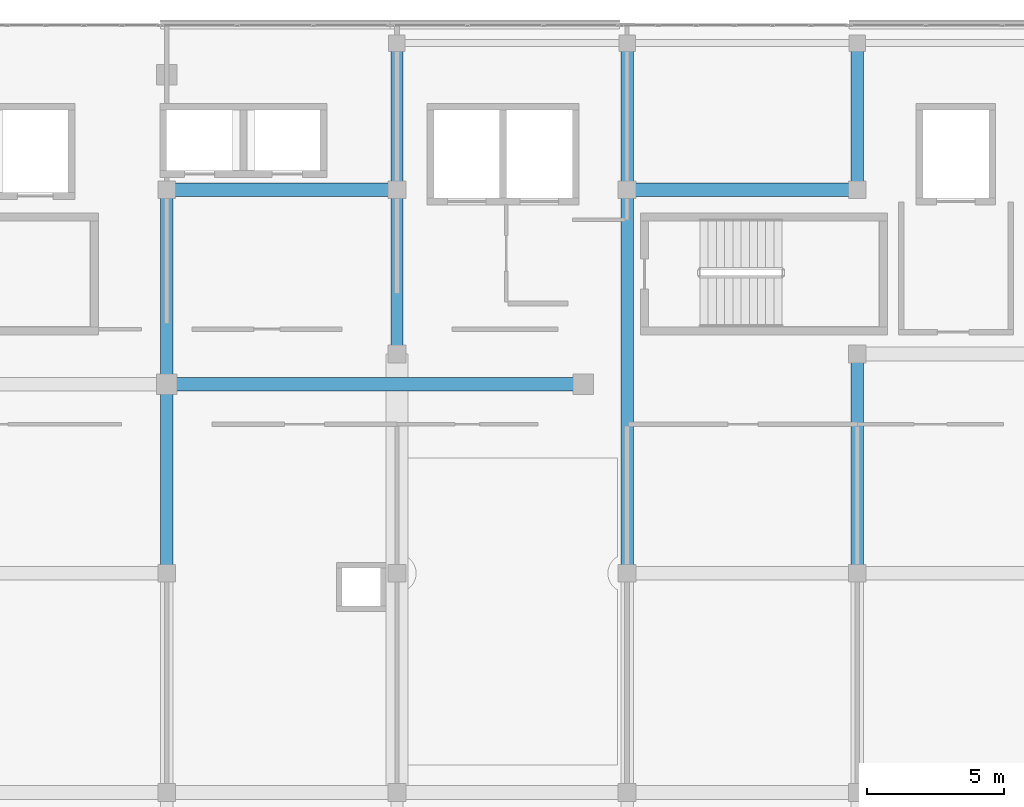
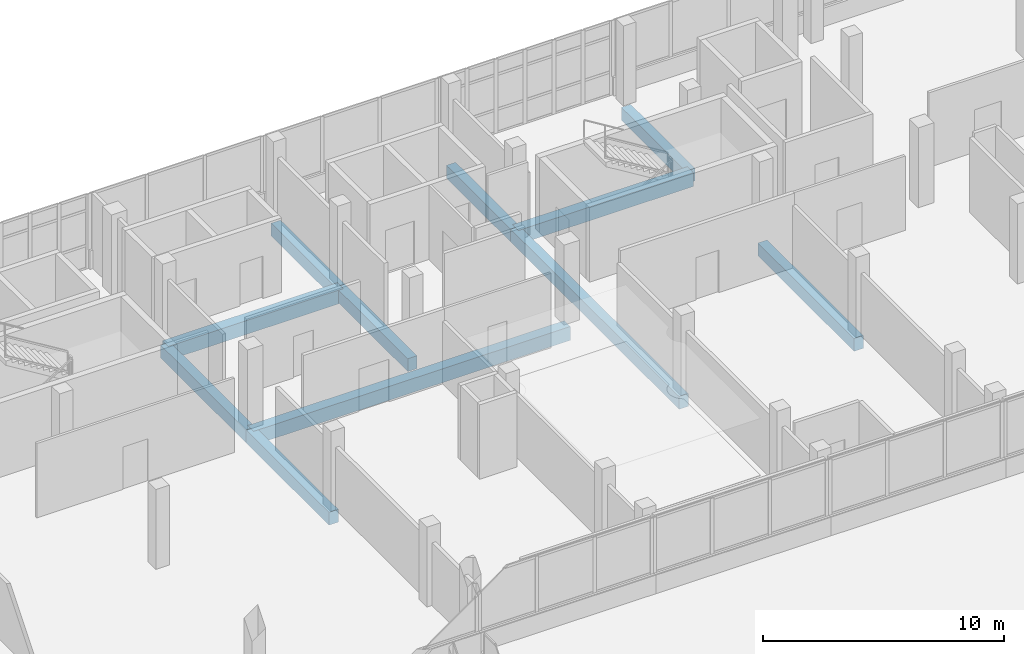
# One storey, part 34 of 78: 11 beams.
"""IFC4 building model written with IfcOpenShell, lengths in metres."""

from ifc_helpers import new_model, si_unit, direction, frame, origin, origin_2d, place, context, subcontext, project, spatial, rectangle, extrude, material, material_profile, profile_set, type_object, element, save


model = new_model("IFC4")

# Units and contexts
model_context = context("Model", 3, precision=1e-05, world=origin(), true_north=direction((0.0, 1.0)))
body_context = subcontext(model_context, "Body", "Model", "MODEL_VIEW")
ifc_project = project(units=[si_unit("LENGTHUNIT", "METRE"), si_unit("AREAUNIT", "SQUARE_METRE"), si_unit("VOLUMEUNIT", "CUBIC_METRE"), si_unit("PLANEANGLEUNIT", "RADIAN"), si_unit("MASSUNIT", "GRAM", prefix="KILO")], contexts=[model_context])

# Site, building, storey
site_placement = place(None, origin())
site = spatial("IfcSite", under=ifc_project, at=site_placement, CompositionType="ELEMENT")
building_placement = place(site_placement, origin())
building = spatial("IfcBuilding", under=site, at=building_placement, Name="Selatvlak General Hospital", CompositionType="ELEMENT")
storey_placement = place(building_placement, frame((0.0, 0.0, 23.25)))
storey = spatial("IfcBuildingStorey", under=building, at=storey_placement, Name="L05", CompositionType="ELEMENT", Elevation=23.25)

# Beams
ifc_material = material(Name="Concrete C40/50", Category="concrete")
ifc_material_profile_1 = material_profile(ifc_material, rectangle(XDim=0.5, YDim=0.699951171875, at=origin_2d()), Name="RC-BM 500x700")
ifc_profile_set_1 = profile_set([ifc_material_profile_1], Name="Concrete C40/50")
beam_type_1 = type_object("IfcBeamType", Name="BM-G03", PredefinedType="BEAM", material=ifc_profile_set_1)
beam_1_placement = place(storey_placement, frame((115.199951171875, 106.89990234375, -0.6298828125), z_axis=(1.0, 0.0, 0.0), x_axis=(0.0, 1.0, 0.0)))
element("IfcBeam", 1, at=beam_1_placement, inside=storey, type_object=beam_type_1, Name="Beam BMR-L05-1945", PredefinedType="BEAM", context=body_context, shape_type="SweptSolid", body=[
    extrude(rectangle(XDim=0.5, YDim=0.699951171875, at=origin_2d()), origin(), (0.0, 0.0, 1.0), 15.199951171875),
])
beam_2_placement = place(storey_placement, frame((115.199951171875, 114.0, -0.6298828125), z_axis=(1.0, 0.0, 0.0), x_axis=(0.0, 1.0, 0.0)))
element("IfcBeam", 2, at=beam_2_placement, inside=storey, type_object=beam_type_1, Name="Beam BMR-L05-1967", PredefinedType="BEAM", context=body_context, shape_type="SweptSolid", body=[
    extrude(rectangle(XDim=0.5, YDim=0.699951171875, at=origin_2d()), origin(), (0.0, 0.0, 1.0), 8.400146484375),
])
beam_3_placement = place(storey_placement, frame((132.0, 114.0, -0.6298828125), z_axis=(1.0, 0.0, 0.0), x_axis=(0.0, 1.0, 0.0)))
element("IfcBeam", 3, at=beam_3_placement, inside=storey, type_object=beam_type_1, Name="Beam BMR-L05-1968", PredefinedType="BEAM", context=body_context, shape_type="SweptSolid", body=[
    extrude(rectangle(XDim=0.5, YDim=0.699951171875, at=origin_2d()), origin(), (0.0, 0.0, 1.0), 8.39990234375),
])
ifc_material_profile_2 = material_profile(ifc_material, rectangle(XDim=0.449951171875, YDim=0.64990234375, at=origin_2d()), Name="RC-BM 450x650")
ifc_profile_set_2 = profile_set([ifc_material_profile_2], Name="Concrete C40/50")
beam_type_2 = type_object("IfcBeamType", Name="BM-G04", PredefinedType="BEAM", material=ifc_profile_set_2)
beam_4_placement = place(storey_placement, frame((115.199951171875, 100.0, -0.60498046875), z_axis=(0.0, 1.0, 0.0), x_axis=(-1.0, 0.0, 0.0)))
element("IfcBeam", 4, at=beam_4_placement, inside=storey, type_object=beam_type_2, Name="Beam BMR-L05-2045", PredefinedType="BEAM", context=body_context, shape_type="SweptSolid", body=[
    extrude(rectangle(XDim=0.449951171875, YDim=0.64990234375, at=origin_2d()), origin(), (0.0, 0.0, 1.0), 6.89990234375),
])
beam_5_placement = place(storey_placement, frame((115.199951171875, 106.89990234375, -0.60498046875), z_axis=(0.0, 1.0, 0.0), x_axis=(-1.0, 0.0, 0.0)))
element("IfcBeam", 5, at=beam_5_placement, inside=storey, type_object=beam_type_2, Name="Beam BMR-L05-2046", PredefinedType="BEAM", context=body_context, shape_type="SweptSolid", body=[
    extrude(rectangle(XDim=0.449951171875, YDim=0.64990234375, at=origin_2d()), origin(), (0.0, 0.0, 1.0), 7.10009765625),
])
beam_6_placement = place(storey_placement, frame((123.60009765625, 108.0, -0.60498046875), z_axis=(0.0, 1.0, 0.0), x_axis=(-1.0, 0.0, 0.0)))
element("IfcBeam", 6, at=beam_6_placement, inside=storey, type_object=beam_type_2, Name="Beam BMR-L05-2052", PredefinedType="BEAM", context=body_context, shape_type="SweptSolid", body=[
    extrude(rectangle(XDim=0.449951171875, YDim=0.64990234375, at=origin_2d()), origin(), (0.0, 0.0, 1.0), 6.0),
])
beam_7_placement = place(storey_placement, frame((123.60009765625, 114.0, -0.60498046875), z_axis=(0.0, 1.0, 0.0), x_axis=(-1.0, 0.0, 0.0)))
element("IfcBeam", 7, at=beam_7_placement, inside=storey, type_object=beam_type_2, Name="Beam BMR-L05-2053", PredefinedType="BEAM", context=body_context, shape_type="SweptSolid", body=[
    extrude(rectangle(XDim=0.449951171875, YDim=0.64990234375, at=origin_2d()), origin(), (0.0, 0.0, 1.0), 5.35009765625),
])
beam_8_placement = place(storey_placement, frame((132.0, 100.0, -0.60498046875), z_axis=(0.0, 1.0, 0.0), x_axis=(-1.0, 0.0, 0.0)))
element("IfcBeam", 8, at=beam_8_placement, inside=storey, type_object=beam_type_2, Name="Beam BMR-L05-2060", PredefinedType="BEAM", context=body_context, shape_type="SweptSolid", body=[
    extrude(rectangle(XDim=0.449951171875, YDim=0.64990234375, at=origin_2d()), origin(), (0.0, 0.0, 1.0), 14.0),
])
beam_9_placement = place(storey_placement, frame((132.0, 114.0, -0.60498046875), z_axis=(0.0, 1.0, 0.0), x_axis=(-1.0, 0.0, 0.0)))
element("IfcBeam", 9, at=beam_9_placement, inside=storey, type_object=beam_type_2, Name="Beam BMR-L05-2061", PredefinedType="BEAM", context=body_context, shape_type="SweptSolid", body=[
    extrude(rectangle(XDim=0.449951171875, YDim=0.64990234375, at=origin_2d()), origin(), (0.0, 0.0, 1.0), 5.35009765625),
])
beam_10_placement = place(storey_placement, frame((140.39990234375, 100.0, -0.60498046875), z_axis=(0.0, 1.0, 0.0), x_axis=(-1.0, 0.0, 0.0)))
element("IfcBeam", 10, at=beam_10_placement, inside=storey, type_object=beam_type_2, Name="Beam BMR-L05-2068", PredefinedType="BEAM", context=body_context, shape_type="SweptSolid", body=[
    extrude(rectangle(XDim=0.449951171875, YDim=0.64990234375, at=origin_2d()), origin(), (0.0, 0.0, 1.0), 8.0),
])
beam_11_placement = place(storey_placement, frame((140.39990234375, 114.0, -0.60498046875), z_axis=(0.0, 1.0, 0.0), x_axis=(-1.0, 0.0, 0.0)))
element("IfcBeam", 11, at=beam_11_placement, inside=storey, type_object=beam_type_2, Name="Beam BMR-L05-2069", PredefinedType="BEAM", context=body_context, shape_type="SweptSolid", body=[
    extrude(rectangle(XDim=0.449951171875, YDim=0.64990234375, at=origin_2d()), origin(), (0.0, 0.0, 1.0), 5.35009765625),
])

save(model, "model.ifc")
